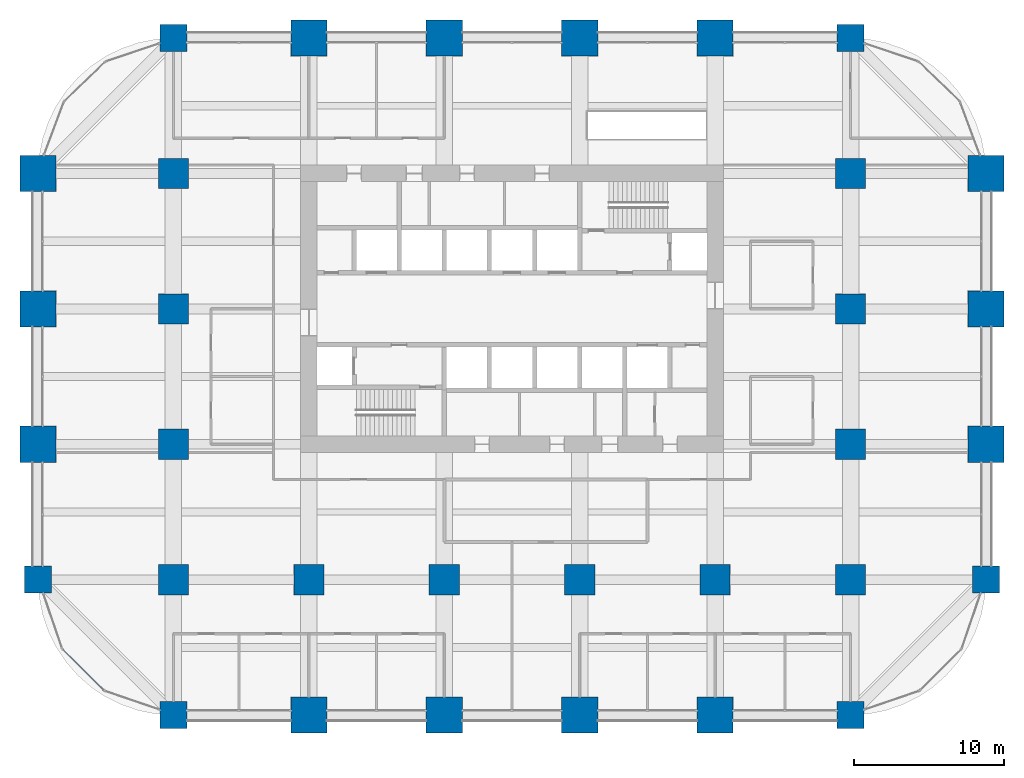
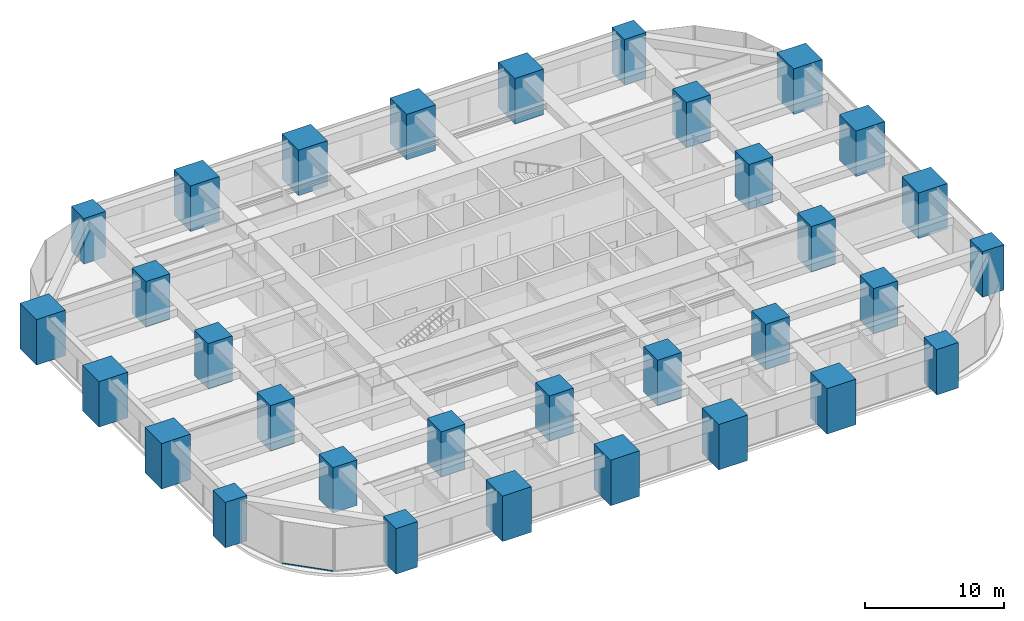
# One storey, part 1 of 41: 32 columns, 1 member, 1 element without a shape of its own.
"""IFC4 building model written with IfcOpenShell, lengths in metres."""

from ifc_helpers import new_model, si_unit, direction, frame, origin, origin_2d, place, context, subcontext, project, spatial, rectangle, hollow_rectangle, extrude, material, material_profile, profile_set, type_object, element, aggregate, save


model = new_model("IFC4")

# Units and contexts
model_context = context("Model", 3, precision=1e-05, world=origin(), true_north=direction((0.0, 1.0)))
body_context = subcontext(model_context, "Body", "Model", "MODEL_VIEW")
ifc_project = project(units=[si_unit("LENGTHUNIT", "METRE"), si_unit("AREAUNIT", "SQUARE_METRE"), si_unit("VOLUMEUNIT", "CUBIC_METRE"), si_unit("PLANEANGLEUNIT", "RADIAN"), si_unit("MASSUNIT", "GRAM", prefix="KILO")], contexts=[model_context])

# Site, building, storey
site_placement = place(None, origin())
site = spatial("IfcSite", under=ifc_project, at=site_placement, CompositionType="ELEMENT")
building_placement = place(site_placement, origin())
building = spatial("IfcBuilding", under=site, at=building_placement, Name="Zorevar Civic Tower", CompositionType="ELEMENT")
storey_placement = place(building_placement, frame((0.0, 0.0, 101.0)))
storey = spatial("IfcBuildingStorey", under=building, at=storey_placement, Name="L24", CompositionType="ELEMENT", Elevation=101.0)

# Columns
ifc_material_1 = material(Name="Concrete C50/60", Category="concrete")
ifc_material_profile_1 = material_profile(ifc_material_1, rectangle(XDim=1.800048828125, YDim=1.800048828125, at=origin_2d()), Name="RC 1800x1800")
ifc_profile_set_1 = profile_set([ifc_material_profile_1], Name="Concrete C50/60")
column_type_1 = type_object("IfcColumnType", Name="Column RC 1800x1800", PredefinedType="COLUMN", material=ifc_profile_set_1)
for number, where, z_axis, x_axis, name in (
    (1, (0.0, 9.0, 0.0), (0.0, 0.0, 1.0), (1.0, 0.0, 0.0), "Column 2B L24"),
    (2, (9.0, 0.0, 0.0), (0.0, 0.0, 1.0), (1.0, 0.0, 0.0), "Column 3A L24"),
    (3, (9.0, 45.0, 0.0), (0.0, 0.0, 1.0), (1.0, 0.0, 0.0), "Column 3F L24"),
    (4, (54.0, 0.0, 0.0), (0.0, 0.0, 1.0), (1.0, 0.0, 0.0), "Column 8A L24"),
    (5, (54.0, 45.0, 0.0), (0.0, 0.0, 1.0), (1.0, 0.0, 0.0), "Column 8F L24"),
    (6, (63.0, 9.0, 0.0), (0.0, 0.0, 1.0), (1.0, 0.0, 0.0), "Column 9B L24"),
):
    element("IfcColumn", number, at=place(storey_placement, frame(where, z_axis=z_axis, x_axis=x_axis)), inside=storey, type_object=column_type_1, Name=name, PredefinedType="COLUMN", context=body_context, shape_type="SweptSolid", body=[
        extrude(rectangle(XDim=1.800048828125, YDim=1.800048828125, at=origin_2d()), origin(), (0.0, 0.0, 1.0), 4.0),
    ])
ifc_material_2 = material(Name="Concrete C50/60", Category="concrete")
ifc_material_profile_2 = material_profile(ifc_material_2, rectangle(XDim=2.0, YDim=2.0, at=origin_2d()), Name="RC 2000x2000")
ifc_profile_set_2 = profile_set([ifc_material_profile_2], Name="Concrete C50/60")
column_type_2 = type_object("IfcColumnType", Name="Column RC 2000x2000", PredefinedType="COLUMN", material=ifc_profile_set_2)
for number, where, z_axis, x_axis, name in (
    (7, (9.0, 9.0, 0.0), (0.0, 0.0, 1.0), (1.0, 0.0, 0.0), "Column 3B L24"),
    (8, (9.0, 18.0, 0.0), (0.0, 0.0, 1.0), (1.0, 0.0, 0.0), "Column 3C L24"),
    (9, (9.0, 27.0, 0.0), (0.0, 0.0, 1.0), (1.0, 0.0, 0.0), "Column 3D L24"),
    (10, (9.0, 36.0, 0.0), (0.0, 0.0, 1.0), (1.0, 0.0, 0.0), "Column 3E L24"),
    (11, (18.0, 9.0, 0.0), (0.0, 0.0, 1.0), (1.0, 0.0, 0.0), "Column 4B L24"),
    (12, (27.0, 9.0, 0.0), (0.0, 0.0, 1.0), (1.0, 0.0, 0.0), "Column 5B L24"),
    (13, (36.0, 9.0, 0.0), (0.0, 0.0, 1.0), (1.0, 0.0, 0.0), "Column 6B L24"),
    (14, (45.0, 9.0, 0.0), (0.0, 0.0, 1.0), (1.0, 0.0, 0.0), "Column 7B L24"),
    (15, (54.0, 9.0, 0.0), (0.0, 0.0, 1.0), (1.0, 0.0, 0.0), "Column 8B L24"),
    (16, (54.0, 18.0, 0.0), (0.0, 0.0, 1.0), (1.0, 0.0, 0.0), "Column 8C L24"),
    (17, (54.0, 27.0, 0.0), (0.0, 0.0, 1.0), (1.0, 0.0, 0.0), "Column 8D L24"),
    (18, (54.0, 36.0, 0.0), (0.0, 0.0, 1.0), (1.0, 0.0, 0.0), "Column 8E L24"),
):
    element("IfcColumn", number, at=place(storey_placement, frame(where, z_axis=z_axis, x_axis=x_axis)), inside=storey, type_object=column_type_2, Name=name, PredefinedType="COLUMN", context=body_context, shape_type="SweptSolid", body=[
        extrude(rectangle(XDim=2.0, YDim=2.0, at=origin_2d()), origin(), (0.0, 0.0, 1.0), 4.0),
    ])
ifc_material_3 = material(Name="Concrete C50/60", Category="concrete")
ifc_material_profile_3 = material_profile(ifc_material_3, rectangle(XDim=2.39990234375, YDim=2.39990234375, at=origin_2d()), Name="RC 2400x2400")
ifc_profile_set_3 = profile_set([ifc_material_profile_3], Name="Concrete C50/60")
column_type_3 = type_object("IfcColumnType", Name="Mega column RC 2400x2400", PredefinedType="COLUMN", material=ifc_profile_set_3)
for number, where, z_axis, x_axis, name in (
    (19, (0.0, 18.0, 0.0), (0.0, 0.0, 1.0), (1.0, 0.0, 0.0), "Column 2C L24"),
    (20, (0.0, 27.0, 0.0), (0.0, 0.0, 1.0), (1.0, 0.0, 0.0), "Column 2D L24"),
    (21, (0.0, 36.0, 0.0), (0.0, 0.0, 1.0), (1.0, 0.0, 0.0), "Column 2E L24"),
    (22, (18.0, 0.0, 0.0), (0.0, 0.0, 1.0), (1.0, 0.0, 0.0), "Column 4A L24"),
    (23, (18.0, 45.0, 0.0), (0.0, 0.0, 1.0), (1.0, 0.0, 0.0), "Column 4F L24"),
    (24, (27.0, 0.0, 0.0), (0.0, 0.0, 1.0), (1.0, 0.0, 0.0), "Column 5A L24"),
    (25, (27.0, 45.0, 0.0), (0.0, 0.0, 1.0), (1.0, 0.0, 0.0), "Column 5F L24"),
    (26, (36.0, 0.0, 0.0), (0.0, 0.0, 1.0), (1.0, 0.0, 0.0), "Column 6A L24"),
    (27, (36.0, 45.0, 0.0), (0.0, 0.0, 1.0), (1.0, 0.0, 0.0), "Column 6F L24"),
    (28, (45.0, 0.0, 0.0), (0.0, 0.0, 1.0), (1.0, 0.0, 0.0), "Column 7A L24"),
    (29, (45.0, 45.0, 0.0), (0.0, 0.0, 1.0), (1.0, 0.0, 0.0), "Column 7F L24"),
    (30, (63.0, 18.0, 0.0), (0.0, 0.0, 1.0), (1.0, 0.0, 0.0), "Column 9C L24"),
    (31, (63.0, 27.0, 0.0), (0.0, 0.0, 1.0), (1.0, 0.0, 0.0), "Column 9D L24"),
    (32, (63.0, 36.0, 0.0), (0.0, 0.0, 1.0), (1.0, 0.0, 0.0), "Column 9E L24"),
):
    element("IfcColumn", number, at=place(storey_placement, frame(where, z_axis=z_axis, x_axis=x_axis)), inside=storey, type_object=column_type_3, Name=name, PredefinedType="COLUMN", context=body_context, shape_type="SweptSolid", body=[
        extrude(rectangle(XDim=2.39990234375, YDim=2.39990234375, at=origin_2d()), origin(), (0.0, 0.0, 1.0), 4.0),
    ])

# Curtain wall, member
ifc_material_4 = material(Name="Dark grey solar-control glass in black aluminium frame", Category="aluminium")
curtain_wall_type = type_object("IfcCurtainWallType", Name="Curtain wall CW3 mid zone", PredefinedType="NOTDEFINED", material=ifc_material_4)
curtain_wall_placement = place(storey_placement, origin())
curtain_wall = element("IfcCurtainWall", 33, at=curtain_wall_placement, inside=storey, type_object=curtain_wall_type, Name="CW3 L24", PredefinedType="NOTDEFINED")
ifc_material_5 = material(Name="Aluminium, black anodised", Category="aluminium")
ifc_material_profile_4 = material_profile(ifc_material_5, hollow_rectangle(XDim=0.06005859375, YDim=0.1201171875, WallThickness=0.0029296875, at=origin_2d()), Name="AL 120x60x3")
ifc_profile_set_4 = profile_set([ifc_material_profile_4], Name="Aluminium, black anodised")
member_type = type_object("IfcMemberType", Name="CW3 transom AL 120x60x3", PredefinedType="USERDEFINED", material=ifc_profile_set_4)
member_placement = place(storey_placement, frame((1.662841796875, 4.349853515625, 0.030029296875), z_axis=(0.707106781187, -0.707106781187, 0.0), x_axis=(0.707106781187, 0.707106781187, 0.0)))
member = element("IfcMember", 34, at=member_placement, type_object=member_type, Name="CW3 sill transom", ObjectType="TRANSOM", PredefinedType="USERDEFINED", context=body_context, shape_type="SweptSolid", body=[
    extrude(hollow_rectangle(XDim=0.06005859375, YDim=0.1201171875, WallThickness=0.0029296875, at=origin_2d()), origin(), (0.0, 0.0, 1.0), 3.800048828125),
])
aggregate(curtain_wall, [member])

save(model, "model.ifc")
